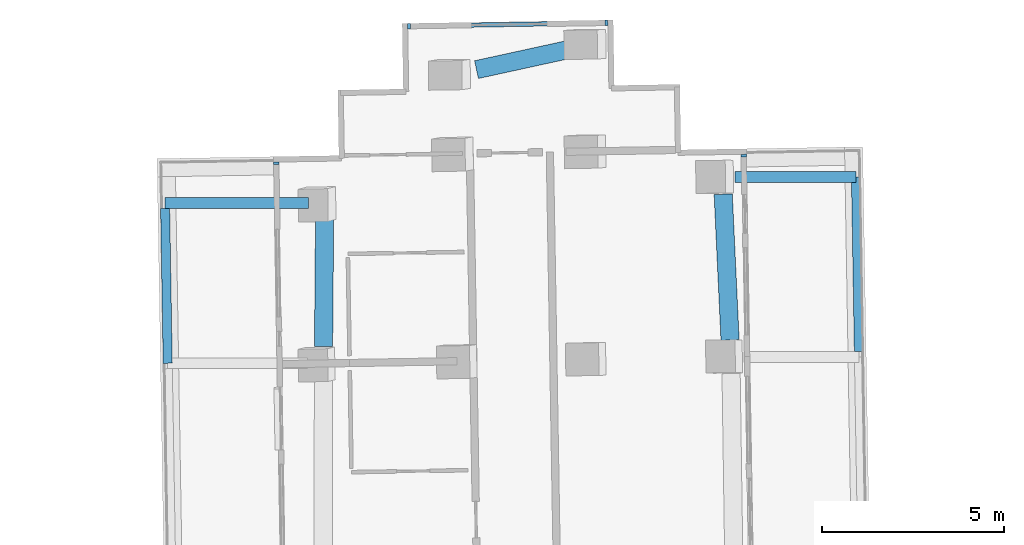
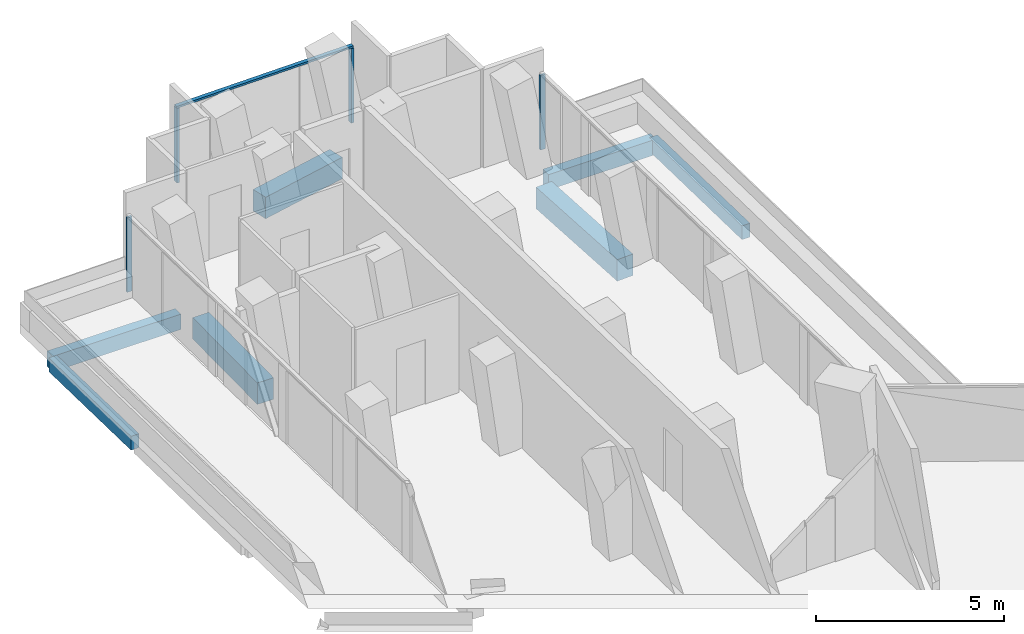
# One storey, part 12 of 25: 7 beams, 5 members, 3 elements without a shape of their own.
"""IFC4 building model written with IfcOpenShell, lengths in metres."""

from ifc_helpers import new_model, si_unit, direction, frame, origin, origin_2d, place, context, subcontext, project, spatial, rectangle, extrude, material, layer, layer_set, material_profile, profile_set, type_object, element, aggregate, save


model = new_model("IFC4")

# Units and contexts
model_context = context("Model", 3, precision=1e-05, world=origin(), true_north=direction((0.0, 1.0)))
body_context = subcontext(model_context, "Body", "Model", "MODEL_VIEW")
ifc_project = project(units=[si_unit("LENGTHUNIT", "METRE"), si_unit("AREAUNIT", "SQUARE_METRE"), si_unit("VOLUMEUNIT", "CUBIC_METRE"), si_unit("PLANEANGLEUNIT", "RADIAN"), si_unit("MASSUNIT", "GRAM", prefix="KILO")], contexts=[model_context])

# Site, building, storey
site_placement = place(None, origin())
site = spatial("IfcSite", under=ifc_project, at=site_placement, CompositionType="ELEMENT")
building_placement = place(site_placement, origin())
building = spatial("IfcBuilding", under=site, at=building_placement, Name="Verdalira Terraces Hotel", CompositionType="ELEMENT")
storey_placement = place(building_placement, frame((0.0, 0.0, 39.0)))
storey = spatial("IfcBuildingStorey", under=building, at=storey_placement, Name="L07", CompositionType="ELEMENT", Elevation=39.0)

# Beams
ifc_material_1 = material(Name="Concrete C40", Category="concrete")
ifc_material_profile_1 = material_profile(ifc_material_1, rectangle(XDim=0.300049, YDim=0.5, at=origin_2d()), Name="RC 300X500")
ifc_profile_set_1 = profile_set([ifc_material_profile_1], Name="Concrete C40")
beam_type_1 = type_object("IfcBeamType", Name="Balcony cantilever beam RC 300X500 C40", PredefinedType="BEAM", material=ifc_profile_set_1)
beam_1_placement = place(storey_placement, frame((5.500977, 40.70166, -0.560059), z_axis=(1.0, 0.0, 0.0), x_axis=(0.0, 1.0, 0.0)))
element("IfcBeam", 1, at=beam_1_placement, inside=storey, type_object=beam_type_1, Name="Balcony cantilever beam R00-4", PredefinedType="BEAM", context=body_context, shape_type="SweptSolid", body=[
    extrude(rectangle(XDim=0.300049, YDim=0.5, at=origin_2d()), origin(), (0.0, 0.0, 1.0), 3.318359),
])
beam_2_placement = place(storey_placement, frame((-6.229004, 39.989746, -0.560059), z_axis=(-1.0, 0.0, 0.0), x_axis=(0.0, -1.0, 0.0)))
element("IfcBeam", 2, at=beam_2_placement, inside=storey, type_object=beam_type_1, Name="Balcony cantilever beam R10-4", PredefinedType="BEAM", context=body_context, shape_type="SweptSolid", body=[
    extrude(rectangle(XDim=0.300049, YDim=0.5, at=origin_2d()), origin(), (0.0, 0.0, 1.0), 3.942383),
])
ifc_material_2 = material(Name="Concrete C40", Category="concrete")
ifc_material_profile_2 = material_profile(ifc_material_2, rectangle(XDim=0.25, YDim=0.449951, at=origin_2d()), Name="RC 250X450")
ifc_profile_set_2 = profile_set([ifc_material_profile_2], Name="Concrete C40")
beam_type_2 = type_object("IfcBeamType", Name="Balcony edge beam RC 250X450 C40", PredefinedType="BEAM", material=ifc_profile_set_2)
beam_3_placement = place(storey_placement, frame((8.899658, 35.908691, -0.534912), z_axis=(-0.016756001, 0.999859608, 0.0), x_axis=(-0.999859608, -0.016756001, 0.0)))
element("IfcBeam", 3, at=beam_3_placement, inside=storey, type_object=beam_type_2, Name="Balcony edge beam R00-3", PredefinedType="BEAM", context=body_context, shape_type="SweptSolid", body=[
    extrude(rectangle(XDim=0.25, YDim=0.449951, at=origin_2d()), origin(), (0.0, 0.0, 1.0), 4.793701),
])
beam_4_placement = place(storey_placement, frame((-10.168945, 39.839844, -0.534912), z_axis=(0.016743652, -0.999859815, 0.0), x_axis=(0.999859815, 0.016743652, 0.0)))
element("IfcBeam", 4, at=beam_4_placement, inside=storey, type_object=beam_type_2, Name="Balcony edge beam R10-3", PredefinedType="BEAM", context=body_context, shape_type="SweptSolid", body=[
    extrude(rectangle(XDim=0.25, YDim=0.449951, at=origin_2d()), origin(), (0.0, 0.0, 1.0), 4.257568),
])

# Curtain wall, member
ifc_material_3 = material(Name="Clear glass", Category="glass")
ifc_layer_1 = layer(ifc_material_3, 0.14990234375)
ifc_layer_set_1 = layer_set([ifc_layer_1], Name="CW2 curtain wall")
curtain_wall_type_1 = type_object("IfcCurtainWallType", Name="CW2 curtain wall", PredefinedType="NOTDEFINED", material=ifc_layer_set_1)
curtain_wall_1_placement = place(storey_placement, origin())
curtain_wall_1 = element("IfcCurtainWall", 5, at=curtain_wall_1_placement, inside=storey, type_object=curtain_wall_type_1, Name="CW2 curtain wall L07 edge 0", PredefinedType="NOTDEFINED")
ifc_material_4 = material(Name="Terracotta frame", Category="masonry")
ifc_material_profile_3 = material_profile(ifc_material_4, rectangle(XDim=0.070068, YDim=0.149902, at=origin_2d()), Name="MU 70x150")
ifc_profile_set_3 = profile_set([ifc_material_profile_3], Name="Terracotta frame")
member_type_1 = type_object("IfcMemberType", Name="CW2 mullion 70x150", PredefinedType="MULLION", material=ifc_profile_set_3)
member_1_placement = place(storey_placement, frame((5.733887, 41.292236, 0.0), z_axis=(0.0, 0.0, 1.0), x_axis=(-0.016754377, 0.999859636, 0.0)))
member_1 = element("IfcMember", 6, at=member_1_placement, type_object=member_type_1, Name="CW2 mullion", PredefinedType="MULLION", context=body_context, shape_type="SweptSolid", body=[
    extrude(rectangle(XDim=0.070068, YDim=0.149902, at=origin_2d()), origin(), (0.0, 0.0, 1.0), 2.425049),
])
aggregate(curtain_wall_1, [member_1])

curtain_wall_2_placement = place(storey_placement, origin())
curtain_wall_2 = element("IfcCurtainWall", 7, at=curtain_wall_2_placement, inside=storey, type_object=curtain_wall_type_1, Name="CW2 curtain wall L07 edge 10", PredefinedType="NOTDEFINED")
member_2_placement = place(storey_placement, frame((-7.114258, 41.076904, 0.0), z_axis=(0.0, 0.0, 1.0), x_axis=(0.016754377, -0.999859636, 0.0)))
member_2 = element("IfcMember", 8, at=member_2_placement, type_object=member_type_1, Name="CW2 mullion", PredefinedType="MULLION", context=body_context, shape_type="SweptSolid", body=[
    extrude(rectangle(XDim=0.070068, YDim=0.149902, at=origin_2d()), origin(), (0.0, 0.0, 1.0), 2.425049),
])
aggregate(curtain_wall_2, [member_2])

# Curtain wall, members
ifc_material_5 = material(Name="Clear glass", Category="glass")
ifc_layer_2 = layer(ifc_material_5, 0.14990234375)
ifc_layer_set_2 = layer_set([ifc_layer_2], Name="CW3 curtain wall")
curtain_wall_type_2 = type_object("IfcCurtainWallType", Name="CW3 curtain wall", PredefinedType="NOTDEFINED", material=ifc_layer_set_2)
curtain_wall_3_placement = place(storey_placement, origin())
curtain_wall_3 = element("IfcCurtainWall", 9, at=curtain_wall_3_placement, inside=storey, type_object=curtain_wall_type_2, Name="CW3 curtain wall L07 edge 5", PredefinedType="NOTDEFINED")
ifc_material_6 = material(Name="Terracotta frame", Category="masonry")
ifc_material_profile_4 = material_profile(ifc_material_6, rectangle(XDim=0.080078, YDim=0.149902, at=origin_2d()), Name="MU 80x150")
ifc_profile_set_4 = profile_set([ifc_material_profile_4], Name="Terracotta frame")
member_type_2 = type_object("IfcMemberType", Name="CW3 mullion 80x150", PredefinedType="MULLION", material=ifc_profile_set_4)
member_3_placement = place(storey_placement, frame((1.957275, 44.939453, 0.0), z_axis=(0.0, 0.0, 1.0), x_axis=(-0.999859636, -0.016754377, 0.0)))
member_3 = element("IfcMember", 10, at=member_3_placement, type_object=member_type_2, Name="CW3 mullion", PredefinedType="MULLION", context=body_context, shape_type="SweptSolid", body=[
    extrude(rectangle(XDim=0.080078, YDim=0.149902, at=origin_2d()), origin(), (0.0, 0.0, 1.0), 2.425049),
])
member_4_placement = place(storey_placement, frame((-3.461914, 44.848633, 0.0), z_axis=(0.0, 0.0, 1.0), x_axis=(-0.999859636, -0.016754377, 0.0)))
member_4 = element("IfcMember", 11, at=member_4_placement, type_object=member_type_2, Name="CW3 mullion", PredefinedType="MULLION", context=body_context, shape_type="SweptSolid", body=[
    extrude(rectangle(XDim=0.080078, YDim=0.149902, at=origin_2d()), origin(), (0.0, 0.0, 1.0), 2.425049),
])
ifc_material_7 = material(Name="Terracotta frame", Category="masonry")
ifc_material_profile_5 = material_profile(ifc_material_7, rectangle(XDim=0.120117, YDim=0.064941, at=origin_2d()), Name="TR 65x120")
ifc_profile_set_5 = profile_set([ifc_material_profile_5], Name="Terracotta frame")
member_type_3 = type_object("IfcMemberType", Name="CW3 transom 65x120", PredefinedType="USERDEFINED", material=ifc_profile_set_5)
member_5_placement = place(storey_placement, frame((1.997314, 44.939941, 2.45752), z_axis=(-0.999859967, -0.016734615, 0.0), x_axis=(0.016734615, -0.999859967, 0.0)))
member_5 = element("IfcMember", 12, at=member_5_placement, type_object=member_type_3, Name="CW3 transom", ObjectType="TRANSOM", PredefinedType="USERDEFINED", context=body_context, shape_type="SweptSolid", body=[
    extrude(rectangle(XDim=0.120117, YDim=0.064941, at=origin_2d()), origin(), (0.0, 0.0, 1.0), 5.5),
])
aggregate(curtain_wall_3, [member_3, member_4, member_5])

# Beams
ifc_material_8 = material(Name="Concrete C70", Category="concrete")
ifc_material_profile_6 = material_profile(ifc_material_8, rectangle(XDim=0.5, YDim=0.699951, at=origin_2d()), Name="RC 500X700")
ifc_profile_set_6 = profile_set([ifc_material_profile_6], Name="Concrete C70")
beam_type_3 = type_object("IfcBeamType", Name="Spandrel beam RC 500X700 C70", PredefinedType="SPANDREL", material=ifc_profile_set_6)
beam_5_placement = place(storey_placement, frame((5.358643, 36.220947, -0.659912), z_axis=(-0.046848249, 0.998902018, 0.0), x_axis=(-0.998902018, -0.046848249, 0.0)))
element("IfcBeam", 13, at=beam_5_placement, inside=storey, type_object=beam_type_3, Name="Spandrel beam B03", PredefinedType="SPANDREL", context=body_context, shape_type="SweptSolid", body=[
    extrude(rectangle(XDim=0.5, YDim=0.699951, at=origin_2d()), origin(), (0.0, 0.0, 1.0), 4.012695),
])
beam_6_placement = place(storey_placement, frame((1.092285, 44.243896, -0.659912), z_axis=(-0.976969625, -0.213378426, 0.0), x_axis=(0.213378426, -0.976969625, 0.0)))
element("IfcBeam", 14, at=beam_6_placement, inside=storey, type_object=beam_type_3, Name="Spandrel beam B04", PredefinedType="SPANDREL", context=body_context, shape_type="SweptSolid", body=[
    extrude(rectangle(XDim=0.5, YDim=0.699951, at=origin_2d()), origin(), (0.0, 0.0, 1.0), 2.766602),
])
beam_7_placement = place(storey_placement, frame((-5.785889, 39.544922, -0.659912), z_axis=(-0.008158155, -0.999966722, 0.0), x_axis=(0.999966722, -0.008158155, 0.0)))
element("IfcBeam", 15, at=beam_7_placement, inside=storey, type_object=beam_type_3, Name="Spandrel beam B05", PredefinedType="SPANDREL", context=body_context, shape_type="SweptSolid", body=[
    extrude(rectangle(XDim=0.5, YDim=0.699951, at=origin_2d()), origin(), (0.0, 0.0, 1.0), 3.501221),
])

save(model, "model.ifc")
